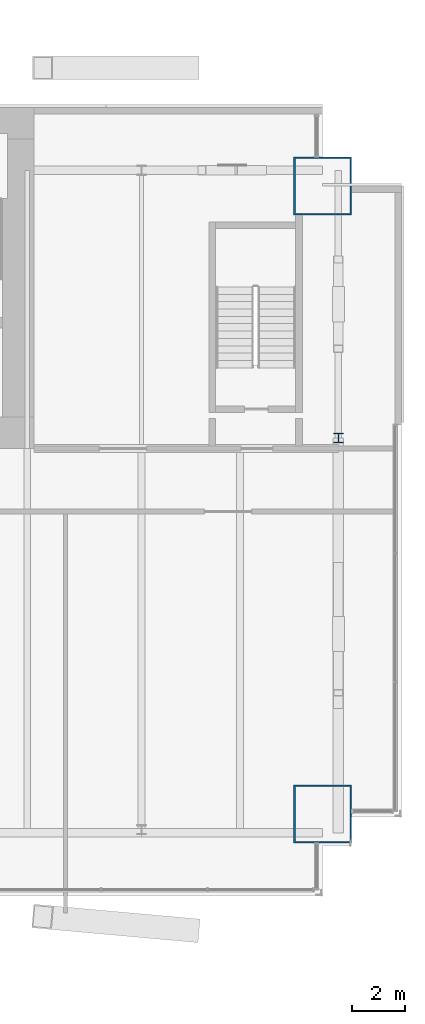
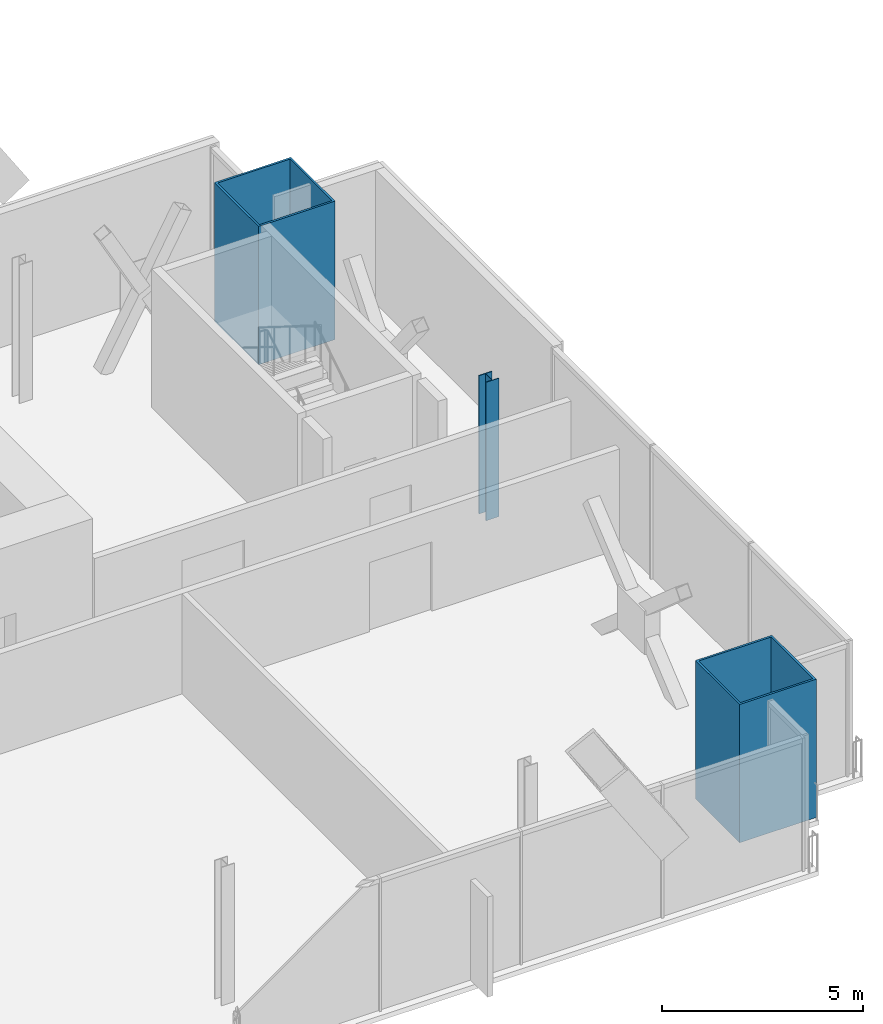
# One storey, part 4 of 20: 3 columns.
"""IFC4 building model written with IfcOpenShell, lengths in metres."""

import ifcopenshell
import ifcopenshell.guid

model = None  # the IFC model being written
_history = None  # IfcOwnerHistory: only IFC2X3 demands one
_inside = {}  # id of a spatial element -> (the spatial element, [elements in it])
_under = {}  # id of a project, library or spatial element -> (it, [spatial elements below it])
_declared = {}  # id of a project -> (the project, [libraries it declares])
_typed = {}  # id of a type object -> (the type object, [elements of that type])
_made_of = {}  # id of a material, layer set ... -> (it, [elements and type objects made of it])


def new_model(schema):
    """Start an empty IFC model of exactly this schema.

    Asked for "IFC4X3", IfcOpenShell would pick the latest addendum, in which some entities
    have other attributes; the version numbers below select the first issue.
    IFC2X3 requires an IfcOwnerHistory on every rooted entity: one is made here for all.
    """
    global model, _history
    if schema == "IFC4X3":
        model = ifcopenshell.file(schema_version=(4, 3, 0, 0))
    else:
        model = ifcopenshell.file(schema=schema)
    _inside.clear()
    _under.clear()
    _declared.clear()
    _typed.clear()
    _made_of.clear()
    _history = None
    if model.schema == "IFC2X3":
        org = make("IfcOrganization", Name="unknown")
        user = make(
            "IfcPersonAndOrganization",
            ThePerson=make("IfcPerson", FamilyName="unknown"),
            TheOrganization=org,
        )
        app = make(
            "IfcApplication",
            ApplicationDeveloper=org,
            Version="unknown",
            ApplicationFullName="unknown",
            ApplicationIdentifier="unknown",
        )
        _history = make(
            "IfcOwnerHistory",
            OwningUser=user,
            OwningApplication=app,
            ChangeAction="ADDED",
            CreationDate=0,
        )
    return model


def make(cls, **values):
    """One entity of the class cls with the attributes given. An attribute that is None is left unset."""
    return model.create_entity(
        cls, **{name: value for name, value in values.items() if value is not None}
    )


def rooted(cls, **values):
    """An entity with a GlobalId (a new one), such as an element, a storey or a relation."""
    return make(cls, GlobalId=ifcopenshell.guid.new(), OwnerHistory=_history, **values)


def si_unit(unit_type, name, prefix=None):
    """IfcSIUnit, for example si_unit("LENGTHUNIT", "METRE", prefix="MILLI")."""
    return make("IfcSIUnit", UnitType=unit_type, Prefix=prefix, Name=name)


def assignment(units):
    """IfcUnitAssignment: the units of a project."""
    return None if units is None else make("IfcUnitAssignment", Units=units)


def point(xyz):
    """IfcCartesianPoint."""
    return None if xyz is None else make("IfcCartesianPoint", Coordinates=xyz)


def direction(xyz):
    """IfcDirection."""
    return None if xyz is None else make("IfcDirection", DirectionRatios=xyz)


def frame(location, z_axis=None, x_axis=None):
    """IfcAxis2Placement3D, a coordinate frame: its origin and axes. An axis left out is left unset."""
    return make(
        "IfcAxis2Placement3D",
        Location=point(location),
        Axis=direction(z_axis),
        RefDirection=direction(x_axis),
    )


def frame_2d(location, x_axis=None):
    """IfcAxis2Placement2D, a coordinate frame in the plane: its origin and x axis."""
    return make(
        "IfcAxis2Placement2D", Location=point(location), RefDirection=direction(x_axis)
    )


def origin():
    """The frame at (0, 0, 0) with its axes left unset."""
    return frame((0.0, 0.0, 0.0))


def origin_2d():
    """The frame at (0, 0) in the plane with its x axis left unset."""
    return frame_2d((0.0, 0.0))


def place(relative_to, where):
    """IfcLocalPlacement: puts the frame where relative to a parent placement (None: the world)."""
    return make(
        "IfcLocalPlacement", PlacementRelTo=relative_to, RelativePlacement=where
    )


def context(
    kind, dimensions, precision=None, world=None, true_north=None, identifier=None
):
    """IfcGeometricRepresentationContext, for example the 3D "Model" context."""
    return make(
        "IfcGeometricRepresentationContext",
        ContextIdentifier=identifier,
        ContextType=kind,
        CoordinateSpaceDimension=dimensions,
        Precision=precision,
        WorldCoordinateSystem=world,
        TrueNorth=true_north,
    )


def subcontext(parent, identifier, kind, view, scale=None):
    """IfcGeometricRepresentationSubContext, for example "Body" below "Model"."""
    return make(
        "IfcGeometricRepresentationSubContext",
        ContextIdentifier=identifier,
        ContextType=kind,
        ParentContext=parent,
        TargetScale=scale,
        TargetView=view,
    )


def project(units=None, contexts=None):
    """IfcProject with its units and contexts."""
    return rooted(
        "IfcProject",
        Name="project",
        RepresentationContexts=contexts,
        UnitsInContext=assignment(units),
    )


def spatial(cls, under=None, at=None, **own):
    """A site, building, storey or space (cls), placed at a placement, below another one or the project."""
    s = rooted(cls, ObjectPlacement=at, **own)
    if under is not None:
        _under.setdefault(under.id(), (under, []))[1].append(s)
    return s


def profile(cls, at=None, kind="AREA", **sizes):
    """A parametric profile (cls). Its sizes go by their IFC names, for example OverallWidth=200.0."""
    return make(cls, ProfileType=kind, Position=at, **sizes)


def hollow_rectangle(**sizes):
    """IfcRectangleHollowProfileDef."""
    return profile("IfcRectangleHollowProfileDef", **sizes)


def i_section(**sizes):
    """IfcIShapeProfileDef."""
    return profile("IfcIShapeProfileDef", **sizes)


def extrude(swept, where, along, depth):
    """IfcExtrudedAreaSolid: the profile swept, set in the frame where, extruded along a direction by depth."""
    return make(
        "IfcExtrudedAreaSolid",
        SweptArea=swept,
        Position=where,
        ExtrudedDirection=direction(along),
        Depth=depth,
    )


def shape(context_of_items, identifier, shape_type, items):
    """IfcShapeRepresentation: the items that make up one representation, for example the "Body"."""
    return make(
        "IfcShapeRepresentation",
        ContextOfItems=context_of_items,
        RepresentationIdentifier=identifier,
        RepresentationType=shape_type,
        Items=items,
    )


def material(Name=None, Category=None):
    """IfcMaterial."""
    return make("IfcMaterial", Name=Name, Category=Category)


def material_profile(
    of_material, cross_section, Name=None, Category=None, Priority=None
):
    """IfcMaterialProfile: a cross section and its material."""
    return make(
        "IfcMaterialProfile",
        Name=Name,
        Material=of_material,
        Profile=cross_section,
        Priority=Priority,
        Category=Category,
    )


def profile_set(profiles, Name=None, composite=None):
    """IfcMaterialProfileSet."""
    return make(
        "IfcMaterialProfileSet",
        Name=Name,
        MaterialProfiles=profiles,
        CompositeProfile=composite,
    )


def made_of(thing, what):
    """Note that an element or type object is made of a material, layer set ...; save() writes the relation."""
    if what is not None:
        _made_of.setdefault(what.id(), (what, []))[1].append(thing)
    return thing


def type_object(cls, material=None, **own):
    """A type object (cls), such as IfcWallType, which elements share."""
    return made_of(rooted(cls, **own), material)


def element(
    cls,
    number,
    at=None,
    inside=None,
    cuts=None,
    type_object=None,
    material=None,
    context=None,
    identifier="Body",
    shape_type=None,
    held_by="IfcProductDefinitionShape",
    body=None,
    shapes=None,
    **own,
):
    """One element of the class cls, such as IfcWall. Its Tag is "e" and its number.

    at: its placement. inside: the storey or other place that contains it. cuts: it is an
    opening in that element (IfcRelVoidsElement). A single representation is given by context,
    identifier, shape_type and body (its items); several are given by shapes. held_by: the class
    of the entity that holds the representations. save() writes the other relations.
    """
    e = rooted(cls, Tag="e%d" % number, ObjectPlacement=at, **own)
    if body is not None:
        shapes = [shape(context, identifier, shape_type, body)]
    if shapes is not None:
        e.Representation = make(held_by, Representations=shapes)
    if inside is not None:
        _inside.setdefault(inside.id(), (inside, []))[1].append(e)
    if cuts is not None:
        rooted(
            "IfcRelVoidsElement", RelatingBuildingElement=cuts, RelatedOpeningElement=e
        )
    if type_object is not None:
        _typed.setdefault(type_object.id(), (type_object, []))[1].append(e)
    return made_of(e, material)


def aggregate(whole, parts):
    """IfcRelAggregates: a whole, such as a stair, and the parts it consists of."""
    return rooted("IfcRelAggregates", RelatingObject=whole, RelatedObjects=parts)


def save(model, path):
    """Write the relations noted so far, then the file.

    IfcRelAggregates (storeys below a building ...), IfcRelContainedInSpatialStructure (elements
    in a storey), IfcRelDefinesByType, IfcRelAssociatesMaterial and IfcRelDeclares: one each for
    every whole, place, type object, material and project.
    """
    for whole, parts in _under.values():
        aggregate(whole, parts)
    for where, things in _inside.values():
        rooted(
            "IfcRelContainedInSpatialStructure",
            RelatedElements=things,
            RelatingStructure=where,
        )
    for kind, things in _typed.values():
        rooted("IfcRelDefinesByType", RelatedObjects=things, RelatingType=kind)
    for what, things in _made_of.values():
        rooted("IfcRelAssociatesMaterial", RelatedObjects=things, RelatingMaterial=what)
    for by, libraries in _declared.values():
        rooted("IfcRelDeclares", RelatingContext=by, RelatedDefinitions=libraries)
    model.write(path)


model = new_model("IFC4")

# Units and contexts
model_context = context("Model", 3, precision=1e-05, world=origin(), true_north=direction((0.0, 1.0)))
body_context = subcontext(model_context, "Body", "Model", "MODEL_VIEW")
ifc_project = project(units=[si_unit("LENGTHUNIT", "METRE"), si_unit("AREAUNIT", "SQUARE_METRE"), si_unit("VOLUMEUNIT", "CUBIC_METRE"), si_unit("PLANEANGLEUNIT", "RADIAN"), si_unit("MASSUNIT", "GRAM", prefix="KILO")], contexts=[model_context])

# Site, building, storey
site_placement = place(None, origin())
site = spatial("IfcSite", under=ifc_project, at=site_placement, CompositionType="ELEMENT")
building_placement = place(site_placement, origin())
building = spatial("IfcBuilding", under=site, at=building_placement, Name="Bicima Exchange Tower", CompositionType="ELEMENT")
storey_placement = place(building_placement, frame((0.0, 0.0, 245.60009765625)))
storey = spatial("IfcBuildingStorey", under=building, at=storey_placement, Name="L55", CompositionType="ELEMENT", Elevation=245.60009765625)

# Columns
ifc_material_1 = material(Name="Steel ASTM A572 Gr 50", Category="steel")
ifc_material_profile_1 = material_profile(ifc_material_1, hollow_rectangle(XDim=2.199951171875, YDim=2.199951171875, WallThickness=0.06005859375, at=origin_2d()))
ifc_profile_set_1 = profile_set([ifc_material_profile_1], Name="Steel ASTM A572 Gr 50")
column_type_1 = type_object("IfcColumnType", Name="Mega column BOX 2200x2200x60", PredefinedType="COLUMN", material=ifc_profile_set_1)
for number, where, z_axis, x_axis, name in (
    (1, (33.0, -26.922119140625, 0.0), (0.0, 0.0, 1.0), (1.0, 0.0, 0.0), "Mega column mega+33.0f"),
    (2, (33.0, -3.0, 0.0), (0.0, 0.0, 1.0), (1.0, 0.0, 0.0), "Mega column mega+33.0r"),
):
    element("IfcColumn", number, at=place(storey_placement, frame(where, z_axis=z_axis, x_axis=x_axis)), inside=storey, type_object=column_type_1, Name=name, PredefinedType="COLUMN", context=body_context, shape_type="SweptSolid", body=[
        extrude(hollow_rectangle(XDim=2.199951171875, YDim=2.199951171875, WallThickness=0.06005859375, at=origin_2d()), origin(), (0.0, 0.0, 1.0), 4.199951171875),
    ])
ifc_material_2 = material(Name="Steel ASTM A992 Gr 50", Category="steel")
ifc_material_profile_2 = material_profile(ifc_material_2, i_section(OverallWidth=0.370849609375, OverallDepth=0.36328125, WebThickness=0.013427734375, FlangeThickness=0.021728515625, at=origin_2d()))
ifc_profile_set_2 = profile_set([ifc_material_profile_2], Name="Steel ASTM A992 Gr 50")
column_type_2 = type_object("IfcColumnType", Name="Perimeter column W14x109", PredefinedType="COLUMN", material=ifc_profile_set_2)
column_placement = place(storey_placement, frame((33.60009765625, -12.60009765625, 0.0), z_axis=(0.0, 0.0, 1.0), x_axis=(1.0, 0.0, 0.0)))
element("IfcColumn", 3, at=column_placement, inside=storey, type_object=column_type_2, Name="End column end+33.6e", PredefinedType="COLUMN", context=body_context, shape_type="SweptSolid", body=[
    extrude(i_section(OverallWidth=0.370849609375, OverallDepth=0.36328125, WebThickness=0.013427734375, FlangeThickness=0.021728515625, at=origin_2d()), origin(), (0.0, 0.0, 1.0), 4.199951171875),
])

save(model, "model.ifc")
